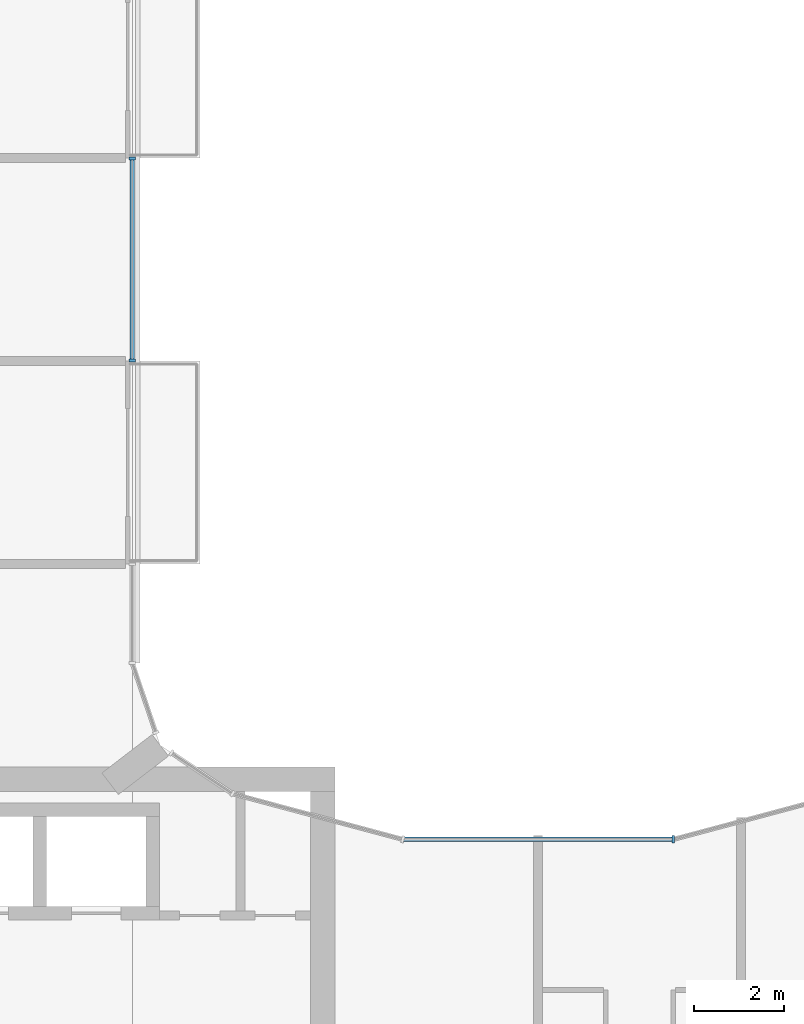
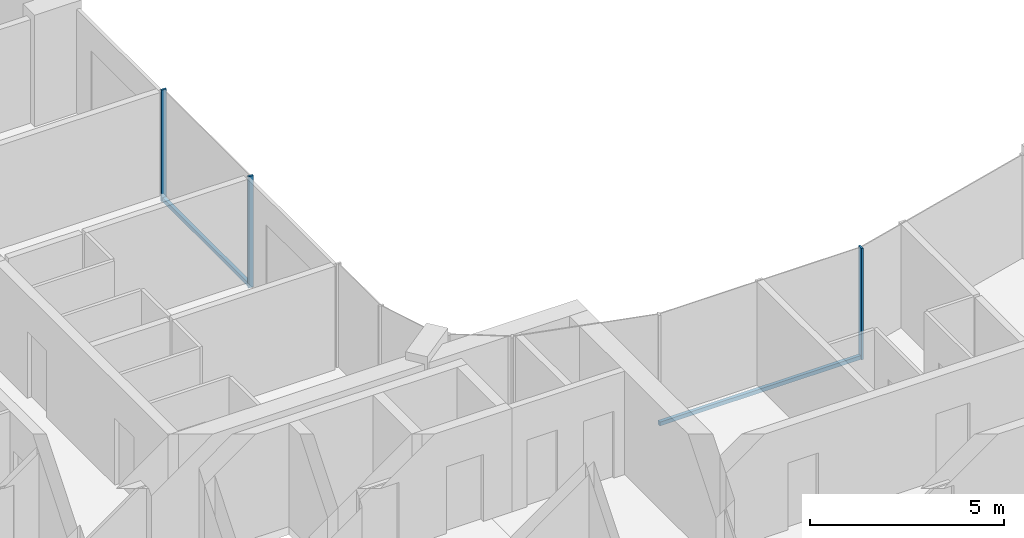
# One storey, part 5 of 15: 5 members, 2 elements without a shape of their own.
"""IFC4 building model written with IfcOpenShell, lengths in metres."""

from ifc_helpers import new_model, si_unit, direction, frame, origin, origin_2d, place, context, subcontext, project, spatial, rectangle, extrude, material, layer, layer_set, material_profile, profile_set, type_object, element, aggregate, save


model = new_model("IFC4")

# Units and contexts
model_context = context("Model", 3, precision=1e-05, world=origin(), true_north=direction((0.0, 1.0)))
body_context = subcontext(model_context, "Body", "Model", "MODEL_VIEW")
ifc_project = project(units=[si_unit("LENGTHUNIT", "METRE"), si_unit("AREAUNIT", "SQUARE_METRE"), si_unit("VOLUMEUNIT", "CUBIC_METRE"), si_unit("PLANEANGLEUNIT", "RADIAN"), si_unit("MASSUNIT", "GRAM", prefix="KILO")], contexts=[model_context])

# Site, building, storey
site_placement = place(None, origin())
site = spatial("IfcSite", under=ifc_project, at=site_placement, CompositionType="ELEMENT")
building_placement = place(site_placement, origin())
building = spatial("IfcBuilding", under=site, at=building_placement, Name="Plateau Cross Towers", CompositionType="ELEMENT")
storey_placement = place(building_placement, frame((0.0, 0.0, 177.89990234375)))
storey = spatial("IfcBuildingStorey", under=building, at=storey_placement, Name="L46", CompositionType="ELEMENT", Elevation=177.89990234375)

# Curtain wall, members
ifc_material_1 = material(Name="Dark low-iron glass", Category="glass")
ifc_layer_1 = layer(ifc_material_1, 0.239990234375)
ifc_layer_set_1 = layer_set([ifc_layer_1], Name="Dark low-iron glass")
curtain_wall_type_1 = type_object("IfcCurtainWallType", Name="Curtain wall flush unitised CW-B", PredefinedType="NOTDEFINED", material=ifc_layer_set_1)
curtain_wall_1_placement = place(storey_placement, origin())
curtain_wall_1 = element("IfcCurtainWall", 1, at=curtain_wall_1_placement, inside=storey, type_object=curtain_wall_type_1, Name="ENV/A/L46/A180_270", PredefinedType="NOTDEFINED")
ifc_material_2 = material(Name="Black anodised aluminium", Category="aluminium")
ifc_material_profile_1 = material_profile(ifc_material_2, rectangle(XDim=0.06005859375, YDim=0.139892578125, at=origin_2d()), Name="MULLION 60x140")
ifc_profile_set_1 = profile_set([ifc_material_profile_1], Name="Black anodised aluminium")
member_type_1 = type_object("IfcMemberType", Name="Mullion 60x140 flush unitised", PredefinedType="MULLION", material=ifc_profile_set_1)
member_1_placement = place(storey_placement, frame((18.0, 27.010009765625, -0.25), z_axis=(0.0, 0.0, 1.0), x_axis=(0.0, 1.0, 0.0)))
member_1 = element("IfcMember", 2, at=member_1_placement, type_object=member_type_1, Name="CW-B mullion 1", PredefinedType="MULLION", context=body_context, shape_type="SweptSolid", body=[
    extrude(rectangle(XDim=0.06005859375, YDim=0.139892578125, at=origin_2d()), origin(), (0.0, 0.0, 1.0), 3.5),
])
member_2_placement = place(storey_placement, frame((18.0, 31.489990234375, -0.25), z_axis=(0.0, 0.0, 1.0), x_axis=(0.0, 1.0, 0.0)))
member_2 = element("IfcMember", 3, at=member_2_placement, type_object=member_type_1, Name="CW-B mullion 2", PredefinedType="MULLION", context=body_context, shape_type="SweptSolid", body=[
    extrude(rectangle(XDim=0.06005859375, YDim=0.139892578125, at=origin_2d()), origin(), (0.0, 0.0, 1.0), 3.5),
])

# Curtain wall, member
ifc_layer_2 = layer(ifc_material_1, 0.260009765625)
ifc_layer_set_2 = layer_set([ifc_layer_2], Name="Dark low-iron glass")
curtain_wall_type_2 = type_object("IfcCurtainWallType", Name="Curtain wall fluted unitised CW-A", PredefinedType="NOTDEFINED", material=ifc_layer_set_2)
curtain_wall_2_placement = place(storey_placement, origin())
curtain_wall_2 = element("IfcCurtainWall", 4, at=curtain_wall_2_placement, inside=storey, type_object=curtain_wall_type_2, Name="ENV/A/L46/A300_164", PredefinedType="NOTDEFINED")
ifc_material_profile_2 = material_profile(ifc_material_2, rectangle(XDim=0.06005859375, YDim=0.159912109375, at=origin_2d()), Name="MULLION 60x160")
ifc_profile_set_2 = profile_set([ifc_material_profile_2], Name="Black anodised aluminium")
member_type_2 = type_object("IfcMemberType", Name="Mullion 60x160 fluted unitised", PredefinedType="MULLION", material=ifc_profile_set_2)
member_3_placement = place(storey_placement, frame((30.0, 16.39306640625, -0.25), z_axis=(0.0, 0.0, 1.0), x_axis=(-1.0, 0.0, 0.0)))
member_3 = element("IfcMember", 5, at=member_3_placement, type_object=member_type_2, Name="CW-A mullion 1", PredefinedType="MULLION", context=body_context, shape_type="SweptSolid", body=[
    extrude(rectangle(XDim=0.06005859375, YDim=0.159912109375, at=origin_2d()), origin(), (0.0, 0.0, 1.0), 3.5),
])

# Member
ifc_material_profile_3 = material_profile(ifc_material_2, rectangle(XDim=0.10009765625, YDim=0.1201171875, at=origin_2d()), Name="TRANSOM 100x120")
ifc_profile_set_3 = profile_set([ifc_material_profile_3], Name="Black anodised aluminium")
member_type_3 = type_object("IfcMemberType", Name="Transom 100x120 flush unitised", PredefinedType="USERDEFINED", material=ifc_profile_set_3)
member_4_placement = place(storey_placement, frame((18.0, 27.010009765625, -0.18994140625), z_axis=(0.0, 1.0, 0.0), x_axis=(-1.0, 0.0, 0.0)))
member_4 = element("IfcMember", 6, at=member_4_placement, type_object=member_type_3, Name="CW-B transom", ObjectType="TRANSOM", PredefinedType="USERDEFINED", context=body_context, shape_type="SweptSolid", body=[
    extrude(rectangle(XDim=0.10009765625, YDim=0.1201171875, at=origin_2d()), origin(), (0.0, 0.0, 1.0), 4.47998046875),
])

aggregate(curtain_wall_1, [member_1, member_2, member_4])

ifc_material_profile_4 = material_profile(ifc_material_2, rectangle(XDim=0.10009765625, YDim=0.1201171875, at=origin_2d()), Name="TRANSOM 100x120")
ifc_profile_set_4 = profile_set([ifc_material_profile_4], Name="Black anodised aluminium")
member_type_4 = type_object("IfcMemberType", Name="Transom 100x120 fluted unitised", PredefinedType="USERDEFINED", material=ifc_profile_set_4)
member_5_placement = place(storey_placement, frame((30.0, 16.39306640625, -0.18994140625), z_axis=(-1.0, 0.0, 0.0), x_axis=(0.0, -1.0, 0.0)))
member_5 = element("IfcMember", 7, at=member_5_placement, type_object=member_type_4, Name="CW-A transom", ObjectType="TRANSOM", PredefinedType="USERDEFINED", context=body_context, shape_type="SweptSolid", body=[
    extrude(rectangle(XDim=0.10009765625, YDim=0.1201171875, at=origin_2d()), origin(), (0.0, 0.0, 1.0), 6.0),
])

aggregate(curtain_wall_2, [member_3, member_5])

save(model, "model.ifc")
